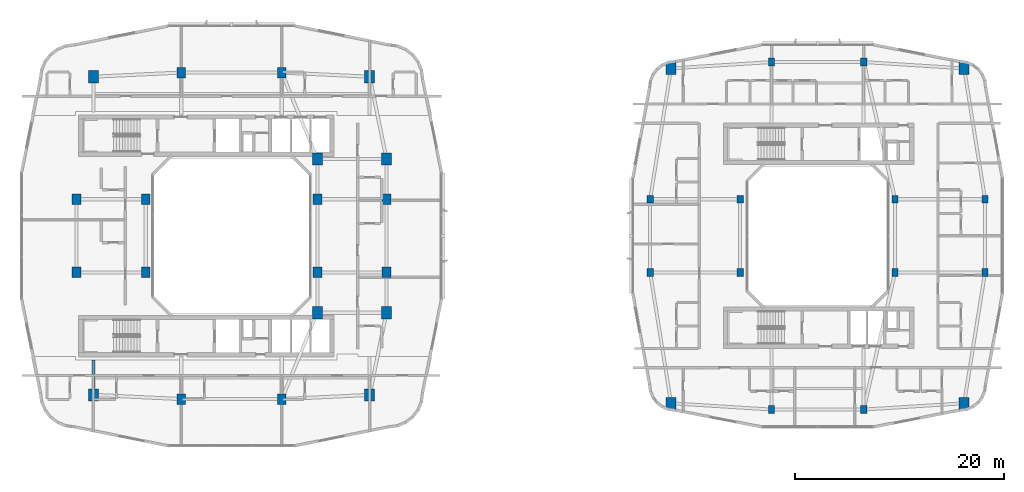
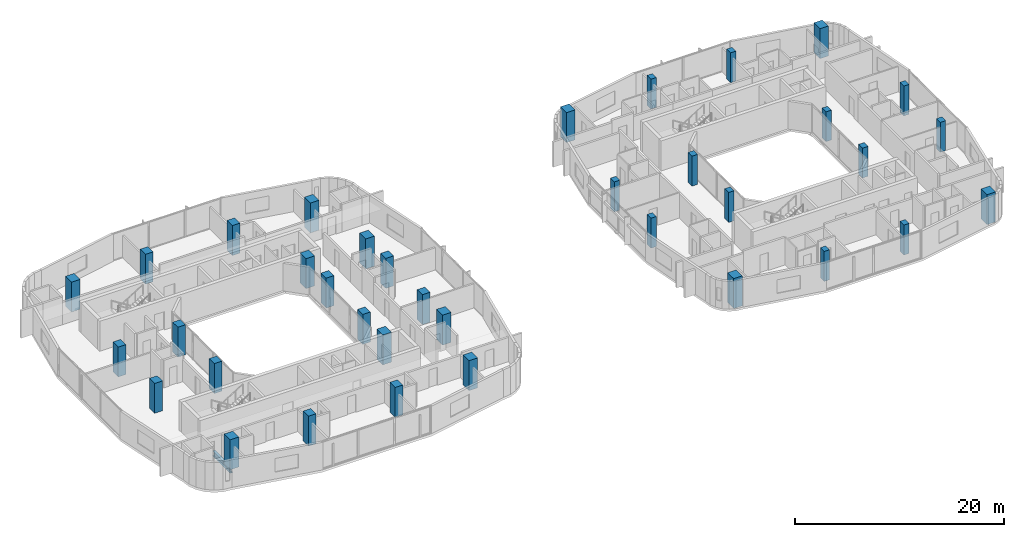
# One storey, part 1 of 26: 36 columns, 1 beam.
"""IFC4 building model written with IfcOpenShell, lengths in metres."""

import ifcopenshell
import ifcopenshell.guid

model = None  # the IFC model being written
_history = None  # IfcOwnerHistory: only IFC2X3 demands one
_inside = {}  # id of a spatial element -> (the spatial element, [elements in it])
_under = {}  # id of a project, library or spatial element -> (it, [spatial elements below it])
_declared = {}  # id of a project -> (the project, [libraries it declares])
_typed = {}  # id of a type object -> (the type object, [elements of that type])
_made_of = {}  # id of a material, layer set ... -> (it, [elements and type objects made of it])


def new_model(schema):
    """Start an empty IFC model of exactly this schema.

    Asked for "IFC4X3", IfcOpenShell would pick the latest addendum, in which some entities
    have other attributes; the version numbers below select the first issue.
    IFC2X3 requires an IfcOwnerHistory on every rooted entity: one is made here for all.
    """
    global model, _history
    if schema == "IFC4X3":
        model = ifcopenshell.file(schema_version=(4, 3, 0, 0))
    else:
        model = ifcopenshell.file(schema=schema)
    _inside.clear()
    _under.clear()
    _declared.clear()
    _typed.clear()
    _made_of.clear()
    _history = None
    if model.schema == "IFC2X3":
        org = make("IfcOrganization", Name="unknown")
        user = make(
            "IfcPersonAndOrganization",
            ThePerson=make("IfcPerson", FamilyName="unknown"),
            TheOrganization=org,
        )
        app = make(
            "IfcApplication",
            ApplicationDeveloper=org,
            Version="unknown",
            ApplicationFullName="unknown",
            ApplicationIdentifier="unknown",
        )
        _history = make(
            "IfcOwnerHistory",
            OwningUser=user,
            OwningApplication=app,
            ChangeAction="ADDED",
            CreationDate=0,
        )
    return model


def make(cls, **values):
    """One entity of the class cls with the attributes given. An attribute that is None is left unset."""
    return model.create_entity(
        cls, **{name: value for name, value in values.items() if value is not None}
    )


def rooted(cls, **values):
    """An entity with a GlobalId (a new one), such as an element, a storey or a relation."""
    return make(cls, GlobalId=ifcopenshell.guid.new(), OwnerHistory=_history, **values)


def si_unit(unit_type, name, prefix=None):
    """IfcSIUnit, for example si_unit("LENGTHUNIT", "METRE", prefix="MILLI")."""
    return make("IfcSIUnit", UnitType=unit_type, Prefix=prefix, Name=name)


def derived_unit(unit_type, elements):
    """IfcDerivedUnit: a product of units, each with its exponent."""
    return make(
        "IfcDerivedUnit",
        Elements=[
            make("IfcDerivedUnitElement", Unit=unit, Exponent=power)
            for unit, power in elements
        ],
        UnitType=unit_type,
    )


def assignment(units):
    """IfcUnitAssignment: the units of a project."""
    return None if units is None else make("IfcUnitAssignment", Units=units)


def point(xyz):
    """IfcCartesianPoint."""
    return None if xyz is None else make("IfcCartesianPoint", Coordinates=xyz)


def direction(xyz):
    """IfcDirection."""
    return None if xyz is None else make("IfcDirection", DirectionRatios=xyz)


def frame(location, z_axis=None, x_axis=None):
    """IfcAxis2Placement3D, a coordinate frame: its origin and axes. An axis left out is left unset."""
    return make(
        "IfcAxis2Placement3D",
        Location=point(location),
        Axis=direction(z_axis),
        RefDirection=direction(x_axis),
    )


def frame_2d(location, x_axis=None):
    """IfcAxis2Placement2D, a coordinate frame in the plane: its origin and x axis."""
    return make(
        "IfcAxis2Placement2D", Location=point(location), RefDirection=direction(x_axis)
    )


def origin():
    """The frame at (0, 0, 0) with its axes left unset."""
    return frame((0.0, 0.0, 0.0))


def origin_2d():
    """The frame at (0, 0) in the plane with its x axis left unset."""
    return frame_2d((0.0, 0.0))


def place(relative_to, where):
    """IfcLocalPlacement: puts the frame where relative to a parent placement (None: the world)."""
    return make(
        "IfcLocalPlacement", PlacementRelTo=relative_to, RelativePlacement=where
    )


def context(
    kind, dimensions, precision=None, world=None, true_north=None, identifier=None
):
    """IfcGeometricRepresentationContext, for example the 3D "Model" context."""
    return make(
        "IfcGeometricRepresentationContext",
        ContextIdentifier=identifier,
        ContextType=kind,
        CoordinateSpaceDimension=dimensions,
        Precision=precision,
        WorldCoordinateSystem=world,
        TrueNorth=true_north,
    )


def subcontext(parent, identifier, kind, view, scale=None):
    """IfcGeometricRepresentationSubContext, for example "Body" below "Model"."""
    return make(
        "IfcGeometricRepresentationSubContext",
        ContextIdentifier=identifier,
        ContextType=kind,
        ParentContext=parent,
        TargetScale=scale,
        TargetView=view,
    )


def project(units=None, contexts=None):
    """IfcProject with its units and contexts."""
    return rooted(
        "IfcProject",
        Name="project",
        RepresentationContexts=contexts,
        UnitsInContext=assignment(units),
    )


def spatial(cls, under=None, at=None, **own):
    """A site, building, storey or space (cls), placed at a placement, below another one or the project."""
    s = rooted(cls, ObjectPlacement=at, **own)
    if under is not None:
        _under.setdefault(under.id(), (under, []))[1].append(s)
    return s


def profile(cls, at=None, kind="AREA", **sizes):
    """A parametric profile (cls). Its sizes go by their IFC names, for example OverallWidth=200.0."""
    return make(cls, ProfileType=kind, Position=at, **sizes)


def rectangle(**sizes):
    """IfcRectangleProfileDef."""
    return profile("IfcRectangleProfileDef", **sizes)


def i_section(**sizes):
    """IfcIShapeProfileDef."""
    return profile("IfcIShapeProfileDef", **sizes)


def extrude(swept, where, along, depth):
    """IfcExtrudedAreaSolid: the profile swept, set in the frame where, extruded along a direction by depth."""
    return make(
        "IfcExtrudedAreaSolid",
        SweptArea=swept,
        Position=where,
        ExtrudedDirection=direction(along),
        Depth=depth,
    )


def shape(context_of_items, identifier, shape_type, items):
    """IfcShapeRepresentation: the items that make up one representation, for example the "Body"."""
    return make(
        "IfcShapeRepresentation",
        ContextOfItems=context_of_items,
        RepresentationIdentifier=identifier,
        RepresentationType=shape_type,
        Items=items,
    )


def material(Name=None, Category=None):
    """IfcMaterial."""
    return make("IfcMaterial", Name=Name, Category=Category)


def material_profile(
    of_material, cross_section, Name=None, Category=None, Priority=None
):
    """IfcMaterialProfile: a cross section and its material."""
    return make(
        "IfcMaterialProfile",
        Name=Name,
        Material=of_material,
        Profile=cross_section,
        Priority=Priority,
        Category=Category,
    )


def profile_set(profiles, Name=None, composite=None):
    """IfcMaterialProfileSet."""
    return make(
        "IfcMaterialProfileSet",
        Name=Name,
        MaterialProfiles=profiles,
        CompositeProfile=composite,
    )


def made_of(thing, what):
    """Note that an element or type object is made of a material, layer set ...; save() writes the relation."""
    if what is not None:
        _made_of.setdefault(what.id(), (what, []))[1].append(thing)
    return thing


def type_object(cls, material=None, **own):
    """A type object (cls), such as IfcWallType, which elements share."""
    return made_of(rooted(cls, **own), material)


def element(
    cls,
    number,
    at=None,
    inside=None,
    cuts=None,
    type_object=None,
    material=None,
    context=None,
    identifier="Body",
    shape_type=None,
    held_by="IfcProductDefinitionShape",
    body=None,
    shapes=None,
    **own,
):
    """One element of the class cls, such as IfcWall. Its Tag is "e" and its number.

    at: its placement. inside: the storey or other place that contains it. cuts: it is an
    opening in that element (IfcRelVoidsElement). A single representation is given by context,
    identifier, shape_type and body (its items); several are given by shapes. held_by: the class
    of the entity that holds the representations. save() writes the other relations.
    """
    e = rooted(cls, Tag="e%d" % number, ObjectPlacement=at, **own)
    if body is not None:
        shapes = [shape(context, identifier, shape_type, body)]
    if shapes is not None:
        e.Representation = make(held_by, Representations=shapes)
    if inside is not None:
        _inside.setdefault(inside.id(), (inside, []))[1].append(e)
    if cuts is not None:
        rooted(
            "IfcRelVoidsElement", RelatingBuildingElement=cuts, RelatedOpeningElement=e
        )
    if type_object is not None:
        _typed.setdefault(type_object.id(), (type_object, []))[1].append(e)
    return made_of(e, material)


def aggregate(whole, parts):
    """IfcRelAggregates: a whole, such as a stair, and the parts it consists of."""
    return rooted("IfcRelAggregates", RelatingObject=whole, RelatedObjects=parts)


def save(model, path):
    """Write the relations noted so far, then the file.

    IfcRelAggregates (storeys below a building ...), IfcRelContainedInSpatialStructure (elements
    in a storey), IfcRelDefinesByType, IfcRelAssociatesMaterial and IfcRelDeclares: one each for
    every whole, place, type object, material and project.
    """
    for whole, parts in _under.values():
        aggregate(whole, parts)
    for where, things in _inside.values():
        rooted(
            "IfcRelContainedInSpatialStructure",
            RelatedElements=things,
            RelatingStructure=where,
        )
    for kind, things in _typed.values():
        rooted("IfcRelDefinesByType", RelatedObjects=things, RelatingType=kind)
    for what, things in _made_of.values():
        rooted("IfcRelAssociatesMaterial", RelatedObjects=things, RelatingMaterial=what)
    for by, libraries in _declared.values():
        rooted("IfcRelDeclares", RelatingContext=by, RelatedDefinitions=libraries)
    model.write(path)


model = new_model("IFC4")

# Units and contexts
model_context = context("Model", 3, precision=1e-05, world=origin(), true_north=direction((0.0, 1.0)))
body_context = subcontext(model_context, "Body", "Model", "MODEL_VIEW")
ifc_project = project(units=[si_unit("LENGTHUNIT", "METRE"), si_unit("AREAUNIT", "SQUARE_METRE"), si_unit("VOLUMEUNIT", "CUBIC_METRE"), si_unit("PLANEANGLEUNIT", "RADIAN"), si_unit("MASSUNIT", "GRAM", prefix="KILO"), derived_unit("THERMALTRANSMITTANCEUNIT", [(si_unit("POWERUNIT", "WATT"), 1), (si_unit("LENGTHUNIT", "METRE"), -2), (si_unit("THERMODYNAMICTEMPERATUREUNIT", "KELVIN"), -1)])], contexts=[model_context])

# Site, building, storey
site_placement = place(None, origin())
site = spatial("IfcSite", under=ifc_project, at=site_placement, CompositionType="ELEMENT")
building_placement = place(site_placement, origin())
building = spatial("IfcBuilding", under=site, at=building_placement, Name="Kivonza Crest Hotel", CompositionType="ELEMENT")
storey_placement = place(building_placement, frame((0.0, 0.0, 105.5)))
storey = spatial("IfcBuildingStorey", under=building, at=storey_placement, Name="L28", CompositionType="ELEMENT", Elevation=105.5)

# Columns
ifc_material_1 = material(Name="Concrete C50/60", Category="concrete")
ifc_material_profile_1 = material_profile(ifc_material_1, rectangle(XDim=0.85009765625, YDim=1.0, at=origin_2d()), Name="RC 1000x850")
ifc_profile_set_1 = profile_set([ifc_material_profile_1], Name="Concrete C50/60")
column_type_1 = type_object("IfcColumnType", Name="CL-RC-1000x850", PredefinedType="COLUMN", material=ifc_profile_set_1)
for number, where, z_axis, x_axis, name in (
    (1, (16.199951171875, 9.39990234375, 0.0), (0.0, 0.0, 1.0), (1.0, 0.0, 0.0), "Tower T1 L28 column S1"),
    (2, (25.800048828125, 9.39990234375, 0.0), (0.0, 0.0, 1.0), (1.0, 0.0, 0.0), "Tower T1 L28 column S2"),
    (3, (16.199951171875, 40.60009765625, 0.0), (0.0, 0.0, 1.0), (1.0, 0.0, 0.0), "Tower T1 L28 column N1"),
    (4, (25.800048828125, 40.60009765625, 0.0), (0.0, 0.0, 1.0), (1.0, 0.0, 0.0), "Tower T1 L28 column N2"),
    (5, (6.199951171875, 21.5, 0.0), (0.0, 0.0, 1.0), (1.0, 0.0, 0.0), "Tower T1 L28 column W1"),
    (6, (6.199951171875, 28.5, 0.0), (0.0, 0.0, 1.0), (1.0, 0.0, 0.0), "Tower T1 L28 column W2"),
    (7, (35.800048828125, 21.5, 0.0), (0.0, 0.0, 1.0), (1.0, 0.0, 0.0), "Tower T1 L28 column E1"),
    (8, (35.800048828125, 28.5, 0.0), (0.0, 0.0, 1.0), (1.0, 0.0, 0.0), "Tower T1 L28 column E2"),
    (9, (12.800048828125, 21.5, 0.0), (0.0, 0.0, 1.0), (1.0, 0.0, 0.0), "Tower T1 L28 column WL1"),
    (10, (12.800048828125, 28.5, 0.0), (0.0, 0.0, 1.0), (1.0, 0.0, 0.0), "Tower T1 L28 column WL2"),
    (11, (29.199951171875, 21.5, 0.0), (0.0, 0.0, 1.0), (1.0, 0.0, 0.0), "Tower T1 L28 column WR1"),
    (12, (29.199951171875, 28.5, 0.0), (0.0, 0.0, 1.0), (1.0, 0.0, 0.0), "Tower T1 L28 column WR2"),
):
    element("IfcColumn", number, at=place(storey_placement, frame(where, z_axis=z_axis, x_axis=x_axis)), inside=storey, type_object=column_type_1, Name=name, PredefinedType="COLUMN", context=body_context, shape_type="SweptSolid", body=[
        extrude(rectangle(XDim=0.85009765625, YDim=1.0, at=origin_2d()), origin(), (0.0, 0.0, 1.0), 3.5),
    ])
ifc_material_2 = material(Name="Concrete C60/75", Category="concrete")
ifc_material_profile_2 = material_profile(ifc_material_2, rectangle(XDim=0.949951171875, YDim=1.14990234375, at=origin_2d()), Name="RC 1150x950")
ifc_profile_set_2 = profile_set([ifc_material_profile_2], Name="Concrete C60/75")
column_type_2 = type_object("IfcColumnType", Name="CL-RC-1150x950", PredefinedType="COLUMN", material=ifc_profile_set_2)
for number, where, z_axis, x_axis, name in (
    (13, (7.800048828125, 9.800048828125, 0.0), (0.0, 0.0, 1.0), (1.0, 0.0, 0.0), "Tower T1 L28 column SW"),
    (14, (34.199951171875, 9.800048828125, 0.0), (0.0, 0.0, 1.0), (1.0, 0.0, 0.0), "Tower T1 L28 column SE"),
    (15, (34.199951171875, 40.199951171875, 0.0), (0.0, 0.0, 1.0), (1.0, 0.0, 0.0), "Tower T1 L28 column NE"),
    (16, (7.800048828125, 40.199951171875, 0.0), (0.0, 0.0, 1.0), (1.0, 0.0, 0.0), "Tower T1 L28 column NW"),
    (17, (35.800048828125, 17.64990234375, 0.0), (0.0, 0.0, 1.0), (1.0, 0.0, 0.0), "Tower T1 L28 column PSE"),
    (18, (35.800048828125, 32.35009765625, 0.0), (0.0, 0.0, 1.0), (1.0, 0.0, 0.0), "Tower T1 L28 column PNE"),
    (19, (29.199951171875, 17.64990234375, 0.0), (0.0, 0.0, 1.0), (1.0, 0.0, 0.0), "Tower T1 L28 column TSE"),
    (20, (29.199951171875, 32.35009765625, 0.0), (0.0, 0.0, 1.0), (1.0, 0.0, 0.0), "Tower T1 L28 column TNE"),
    (21, (63.0, 9.0, 0.0), (0.0, 0.0, 1.0), (1.0, 0.0, 0.0), "Companion Tower T2 L28 column SW"),
    (22, (91.0, 9.0, 0.0), (0.0, 0.0, 1.0), (1.0, 0.0, 0.0), "Companion Tower T2 L28 column SE"),
    (23, (91.0, 41.0, 0.0), (0.0, 0.0, 1.0), (1.0, 0.0, 0.0), "Companion Tower T2 L28 column NE"),
    (24, (63.0, 41.0, 0.0), (0.0, 0.0, 1.0), (1.0, 0.0, 0.0), "Companion Tower T2 L28 column NW"),
):
    element("IfcColumn", number, at=place(storey_placement, frame(where, z_axis=z_axis, x_axis=x_axis)), inside=storey, type_object=column_type_2, Name=name, PredefinedType="COLUMN", context=body_context, shape_type="SweptSolid", body=[
        extrude(rectangle(XDim=0.949951171875, YDim=1.14990234375, at=origin_2d()), origin(), (0.0, 0.0, 1.0), 3.5),
    ])
ifc_material_profile_3 = material_profile(ifc_material_1, rectangle(XDim=0.60009765625, YDim=0.75, at=origin_2d()), Name="RC 750x600")
ifc_profile_set_3 = profile_set([ifc_material_profile_3], Name="Concrete C50/60")
column_type_3 = type_object("IfcColumnType", Name="CL-RC-750x600", PredefinedType="COLUMN", material=ifc_profile_set_3)
for number, where, z_axis, x_axis, name in (
    (25, (72.60009765625, 8.39990234375, 0.0), (0.0, 0.0, 1.0), (1.0, 0.0, 0.0), "Companion Tower T2 L28 column S1"),
    (26, (81.39990234375, 8.39990234375, 0.0), (0.0, 0.0, 1.0), (1.0, 0.0, 0.0), "Companion Tower T2 L28 column S2"),
    (27, (72.60009765625, 41.60009765625, 0.0), (0.0, 0.0, 1.0), (1.0, 0.0, 0.0), "Companion Tower T2 L28 column N1"),
    (28, (81.39990234375, 41.60009765625, 0.0), (0.0, 0.0, 1.0), (1.0, 0.0, 0.0), "Companion Tower T2 L28 column N2"),
    (29, (61.0, 21.5, 0.0), (0.0, 0.0, 1.0), (1.0, 0.0, 0.0), "Companion Tower T2 L28 column W1"),
    (30, (61.0, 28.5, 0.0), (0.0, 0.0, 1.0), (1.0, 0.0, 0.0), "Companion Tower T2 L28 column W2"),
    (31, (93.0, 21.5, 0.0), (0.0, 0.0, 1.0), (1.0, 0.0, 0.0), "Companion Tower T2 L28 column E1"),
    (32, (93.0, 28.5, 0.0), (0.0, 0.0, 1.0), (1.0, 0.0, 0.0), "Companion Tower T2 L28 column E2"),
    (33, (69.60009765625, 21.5, 0.0), (0.0, 0.0, 1.0), (1.0, 0.0, 0.0), "Companion Tower T2 L28 column WL1"),
    (34, (69.60009765625, 28.5, 0.0), (0.0, 0.0, 1.0), (1.0, 0.0, 0.0), "Companion Tower T2 L28 column WL2"),
    (35, (84.39990234375, 21.5, 0.0), (0.0, 0.0, 1.0), (1.0, 0.0, 0.0), "Companion Tower T2 L28 column WR1"),
    (36, (84.39990234375, 28.5, 0.0), (0.0, 0.0, 1.0), (1.0, 0.0, 0.0), "Companion Tower T2 L28 column WR2"),
):
    element("IfcColumn", number, at=place(storey_placement, frame(where, z_axis=z_axis, x_axis=x_axis)), inside=storey, type_object=column_type_3, Name=name, PredefinedType="COLUMN", context=body_context, shape_type="SweptSolid", body=[
        extrude(rectangle(XDim=0.60009765625, YDim=0.75, at=origin_2d()), origin(), (0.0, 0.0, 1.0), 3.5),
    ])

# Beam
ifc_material_3 = material(Name="Steel S355", Category="steel")
ifc_material_profile_4 = material_profile(ifc_material_3, i_section(OverallWidth=0.300048828125, OverallDepth=0.60009765625, WebThickness=0.015380859375, FlangeThickness=0.030029296875, FilletRadius=0.027099609375, at=origin_2d()), Name="HEB 600")
ifc_profile_set_4 = profile_set([ifc_material_profile_4], Name="Steel S355")
beam_type = type_object("IfcBeamType", Name="BM-HEB600", PredefinedType="BEAM", material=ifc_profile_set_4)
beam_placement = place(storey_placement, frame((7.800048828125, 9.800048828125, -0.580078125), z_axis=(0.0, 1.0, 0.0), x_axis=(-1.0, 0.0, 0.0)))
element("IfcBeam", 37, at=beam_placement, inside=storey, type_object=beam_type, Name="Tower T1 L28 radial core girder RSW", PredefinedType="BEAM", context=body_context, shape_type="SweptSolid", body=[
    extrude(i_section(OverallWidth=0.300048828125, OverallDepth=0.60009765625, WebThickness=0.015380859375, FlangeThickness=0.030029296875, FilletRadius=0.027099609375, at=origin_2d()), origin(), (0.0, 0.0, 1.0), 3.349853515625),
])

save(model, "model.ifc")
